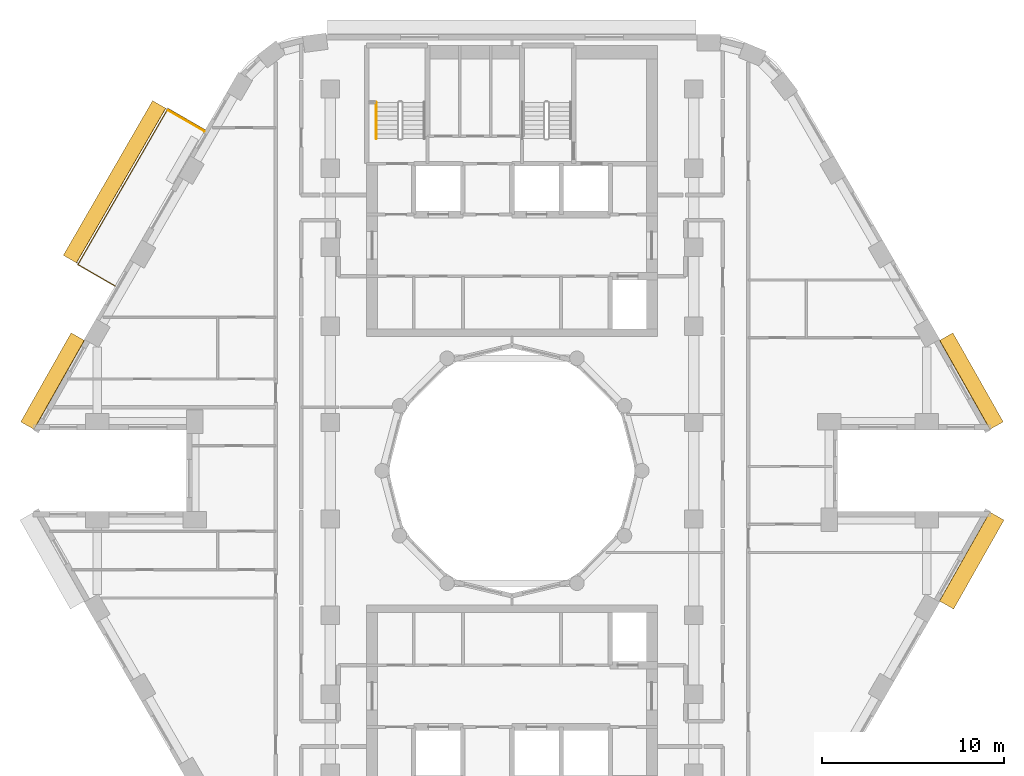
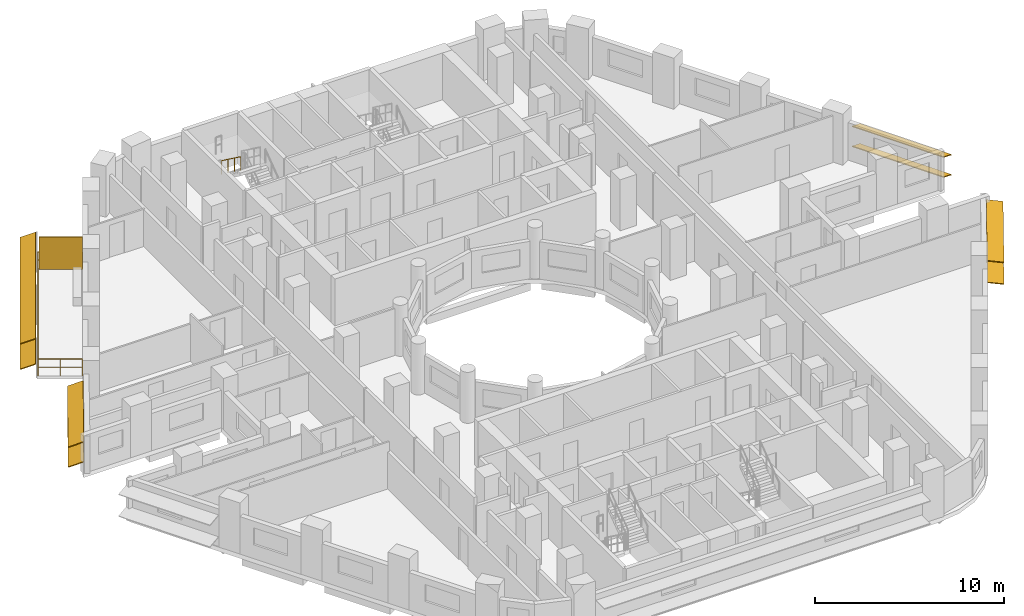
# One storey, part 12 of 13: 9 shading devices, 2 railings.
"""IFC4 building model written with IfcOpenShell, lengths in metres."""

from ifc_helpers import new_model, si_unit, direction, frame, origin, origin_2d, place, context, subcontext, project, spatial, rectangle, circle, extrude, material, layer, layer_set, material_profile, profile_set, type_object, element, save


model = new_model("IFC4")

# Units and contexts
model_context = context("Model", 3, precision=1e-05, world=origin(), true_north=direction((0.0, 1.0)))
body_context = subcontext(model_context, "Body", "Model", "MODEL_VIEW")
ifc_project = project(units=[si_unit("LENGTHUNIT", "METRE"), si_unit("AREAUNIT", "SQUARE_METRE"), si_unit("VOLUMEUNIT", "CUBIC_METRE"), si_unit("PLANEANGLEUNIT", "RADIAN"), si_unit("MASSUNIT", "GRAM", prefix="KILO")], contexts=[model_context])

# Site, building, storey
site_placement = place(None, origin())
site = spatial("IfcSite", under=ifc_project, at=site_placement, CompositionType="ELEMENT")
building_placement = place(site_placement, origin())
building = spatial("IfcBuilding", under=site, at=building_placement, Name="Nakaniwa Court", CompositionType="ELEMENT")
storey_placement = place(building_placement, frame((0.0, 0.0, 140.39990234375)))
storey = spatial("IfcBuildingStorey", under=building, at=storey_placement, Name="L36", CompositionType="ELEMENT", Elevation=140.39990234375)

# Railing
ifc_material_1 = material(Name="Black powder-coated steel flat bar balustrade S275", Category="steel")
railing_type_1 = type_object("IfcRailingType", Name="Black metal balcony guard 1100", PredefinedType="GUARDRAIL", material=ifc_material_1)
railing_1_placement = place(storey_placement, frame((63.10986328125, 98.745361328125, -0.0498046875)))
element("IfcRailing", 1, at=railing_1_placement, inside=storey, type_object=railing_type_1, Name="L36 balcony guard 01", PredefinedType="GUARDRAIL", context=body_context, shape_type="SweptSolid", body=[
    extrude(circle(Radius=0.02392578125, at=origin_2d()), frame((0.0, 0.0, 1.076171875), z_axis=(-0.866025363618, 0.50000006957, 0.0), x_axis=(-0.50000006957, -0.866025363618, 0.0)), (0.0, 0.0, 1.0), 2.35986328125),
    extrude(circle(Radius=0.02392578125, at=origin_2d()), frame((0.0, 0.0, 0.550048828125), z_axis=(-0.866025363618, 0.50000006957, 0.0), x_axis=(-0.50000006957, -0.866025363618, 0.0)), (0.0, 0.0, 1.0), 2.35986328125),
    extrude(circle(Radius=0.02392578125, at=origin_2d()), frame((-2.043701171875, 1.179931640625, 1.076171875), z_axis=(-0.500009036715, -0.866020186372, 0.0), x_axis=(0.866020186372, -0.500009036715, 0.0)), (0.0, 0.0, 1.0), 9.906005859375),
    extrude(circle(Radius=0.02392578125, at=origin_2d()), frame((-2.043701171875, 1.179931640625, 0.550048828125), z_axis=(-0.500009036715, -0.866020186372, 0.0), x_axis=(0.866020186372, -0.500009036715, 0.0)), (0.0, 0.0, 1.0), 9.906005859375),
    extrude(circle(Radius=0.02392578125, at=origin_2d()), frame((-6.996826171875, -7.39892578125, 1.076171875), z_axis=(0.866025363618, -0.50000006957, 0.0), x_axis=(0.50000006957, 0.866025363618, 0.0)), (0.0, 0.0, 1.0), 2.35986328125),
    extrude(circle(Radius=0.02392578125, at=origin_2d()), frame((-6.996826171875, -7.39892578125, 0.550048828125), z_axis=(0.866025363618, -0.50000006957, 0.0), x_axis=(0.50000006957, 0.866025363618, 0.0)), (0.0, 0.0, 1.0), 2.35986328125),
    extrude(circle(Radius=0.02099609375, at=origin_2d()), origin(), (0.0, 0.0, 1.0), 1.052001953125),
    extrude(circle(Radius=0.02099609375, at=origin_2d()), frame((-1.02197265625, 0.58984375, 0.0)), (0.0, 0.0, 1.0), 1.052001953125),
    extrude(circle(Radius=0.02099609375, at=origin_2d()), frame((-2.043701171875, 1.179931640625, 0.0)), (0.0, 0.0, 1.0), 1.052001953125),
    extrude(circle(Radius=0.02099609375, at=origin_2d()), frame((-2.593994140625, 0.226806640625, 0.0)), (0.0, 0.0, 1.0), 1.052001953125),
    extrude(circle(Radius=0.02099609375, at=origin_2d()), frame((-3.144287109375, -0.7265625, 0.0)), (0.0, 0.0, 1.0), 1.052001953125),
    extrude(circle(Radius=0.02099609375, at=origin_2d()), frame((-3.69482421875, -1.6796875, 0.0)), (0.0, 0.0, 1.0), 1.052001953125),
    extrude(circle(Radius=0.02099609375, at=origin_2d()), frame((-4.2451171875, -2.6328125, 0.0)), (0.0, 0.0, 1.0), 1.052001953125),
    extrude(circle(Radius=0.02099609375, at=origin_2d()), frame((-4.79541015625, -3.586181640625, 0.0)), (0.0, 0.0, 1.0), 1.052001953125),
    extrude(circle(Radius=0.02099609375, at=origin_2d()), frame((-5.345703125, -4.539306640625, 0.0)), (0.0, 0.0, 1.0), 1.052001953125),
    extrude(circle(Radius=0.02099609375, at=origin_2d()), frame((-5.896240234375, -5.492431640625, 0.0)), (0.0, 0.0, 1.0), 1.052001953125),
    extrude(circle(Radius=0.02099609375, at=origin_2d()), frame((-6.446533203125, -6.44580078125, 0.0)), (0.0, 0.0, 1.0), 1.052001953125),
    extrude(circle(Radius=0.02099609375, at=origin_2d()), frame((-6.996826171875, -7.39892578125, 0.0)), (0.0, 0.0, 1.0), 1.052001953125),
    extrude(circle(Radius=0.02099609375, at=origin_2d()), frame((-5.97509765625, -7.98876953125, 0.0)), (0.0, 0.0, 1.0), 1.052001953125),
    extrude(circle(Radius=0.02099609375, at=origin_2d()), frame((-4.953125, -8.578857421875, 0.0)), (0.0, 0.0, 1.0), 1.052001953125),
])

# Shading devices
ifc_material_2 = material(Name="Black powder-coated aluminium slat screen", Category="aluminium")
ifc_layer = layer(ifc_material_2, 0.0400390625)
ifc_layer_set = layer_set([ifc_layer], Name="Black powder-coated aluminium slat screen")
shading_device_type_1 = type_object("IfcShadingDeviceType", Name="Koshi screen black metal", PredefinedType="USERDEFINED", material=ifc_layer_set)
shading_device_placement = place(storey_placement, frame((62.069580078125, 99.253662109375, -0.050048828125), z_axis=(0.0, 0.0, 1.0), x_axis=(-0.500004534492, -0.866022785779, 0.0)))
element("IfcShadingDevice", 2, at=shading_device_placement, inside=storey, type_object=shading_device_type_1, Name="L36 balcony SCREEN 01 W", ObjectType="KOSHI SCREEN", PredefinedType="USERDEFINED", context=body_context, shape_type="SweptSolid", body=[
    extrude(rectangle(XDim=0.0400390625, YDim=2.31005859375, at=origin_2d()), origin(), (0.0, 0.0, 1.0), 2.10009765625),
])
ifc_material_3 = material(Name="Perforated charcoal ceramic louvre blade")
ifc_material_profile = material_profile(ifc_material_3, rectangle(XDim=0.89990234375, YDim=0.050048828125, at=origin_2d()), Name="Perforated ceramic louvre blade")
ifc_profile_set = profile_set([ifc_material_profile], Name="Perforated charcoal ceramic louvre blade")
shading_device_type_2 = type_object("IfcShadingDeviceType", Name="Perforated ceramic louvre blade", PredefinedType="JALOUSIE", material=ifc_profile_set)
for number, where, z_axis, x_axis, name in (
    (3, (60.591064453125, 100.1533203125, 0.5), (-0.500008504283, -0.866020493778, 0.0), (0.800098608937, -0.461947623189, 0.382683432365), "L36 perforated ceramic louvre blade 01 1"),
    (4, (60.591064453125, 100.1533203125, 2.150146484375), (-0.500008504283, -0.866020493778, 0.0), (0.800098608937, -0.461947623189, 0.382683432365), "L36 perforated ceramic louvre blade 01 2"),
):
    element("IfcShadingDevice", number, at=place(storey_placement, frame(where, z_axis=z_axis, x_axis=x_axis)), inside=storey, type_object=shading_device_type_2, Name=name, PredefinedType="JALOUSIE", context=body_context, shape_type="SweptSolid", body=[
        extrude(rectangle(XDim=0.89990234375, YDim=0.050048828125, at=origin_2d()), origin(), (0.0, 0.0, 1.0), 9.825927734375),
    ])
for number, where, z_axis, x_axis, name in (
    (5, (106.662353515625, 82.48046875, 0.550048828125), (-0.49253187421, 0.870294405869, 0.0), (-0.804627241022, -0.455368390728, 0.38107037635), "L36 perforated ceramic louvre blade w02 1"),
    (6, (106.662353515625, 82.48046875, 1.845458984375), (-0.49253187421, 0.870294405869, 0.0), (-0.804627241022, -0.455368390728, 0.38107037635), "L36 perforated ceramic louvre blade w02 2"),
    (7, (56.10888671875, 87.377197265625, 0.550048828125), (-0.49253187421, -0.870294405869, 0.0), (0.804627241022, -0.455368390728, 0.38107037635), "L36 perforated ceramic louvre blade w14 1"),
    (8, (56.10888671875, 87.377197265625, 1.845458984375), (-0.49253187421, -0.870294405869, 0.0), (0.804627241022, -0.455368390728, 0.38107037635), "L36 perforated ceramic louvre blade w14 2"),
    (9, (103.911865234375, 72.611083984375, 0.550048828125), (0.49253187421, 0.870294405869, 0.0), (-0.862649339692, 0.488205247786, 0.132256390257), "L36 perforated ceramic louvre blade w32 1"),
    (10, (103.911865234375, 72.611083984375, 1.955810546875), (0.49253187421, 0.870294405869, 0.0), (-0.862649339692, 0.488205247786, 0.132256390257), "L36 perforated ceramic louvre blade w32 2"),
):
    element("IfcShadingDevice", number, at=place(storey_placement, frame(where, z_axis=z_axis, x_axis=x_axis)), inside=storey, type_object=shading_device_type_2, Name=name, PredefinedType="JALOUSIE", context=body_context, shape_type="SweptSolid", body=[
        extrude(rectangle(XDim=0.89990234375, YDim=0.050048828125, at=origin_2d()), origin(), (0.0, 0.0, 1.0), 5.62646484375),
    ])

# Railing
ifc_material_4 = material(Name="Black powder coated steel handrail", Category="steel")
railing_type_2 = type_object("IfcRailingType", Name="Stair handrail 900", PredefinedType="HANDRAIL", material=ifc_material_4)
railing_2_placement = place(storey_placement, frame((72.52490234375, 100.27490234375, 1.83349609375)))
element("IfcRailing", 11, at=railing_2_placement, inside=storey, type_object=railing_type_2, Name="L36 ST1 stair handrail 2", PredefinedType="HANDRAIL", context=body_context, shape_type="SweptSolid", body=[
    extrude(circle(Radius=0.02392578125, at=origin_2d()), frame((0.0, 0.0, 0.8759765625), z_axis=(0.0, -0.806426902644, 0.591333789573), x_axis=(1.0, 0.0, 0.0)), (0.0, 0.0, 1.0), 2.47998046875),
    extrude(circle(Radius=0.02099609375, at=origin_2d()), origin(), (0.0, 0.0, 1.0), 0.851806640625),
    extrude(circle(Radius=0.02099609375, at=origin_2d()), frame((0.0, -0.666748046875, 0.48876953125)), (0.0, 0.0, 1.0), 0.851806640625),
    extrude(circle(Radius=0.02099609375, at=origin_2d()), frame((0.0, -1.333251953125, 0.977783203125)), (0.0, 0.0, 1.0), 0.851806640625),
    extrude(circle(Radius=0.02099609375, at=origin_2d()), frame((0.0, -2.0, 1.466552734375)), (0.0, 0.0, 1.0), 0.851806640625),
])

save(model, "model.ifc")
